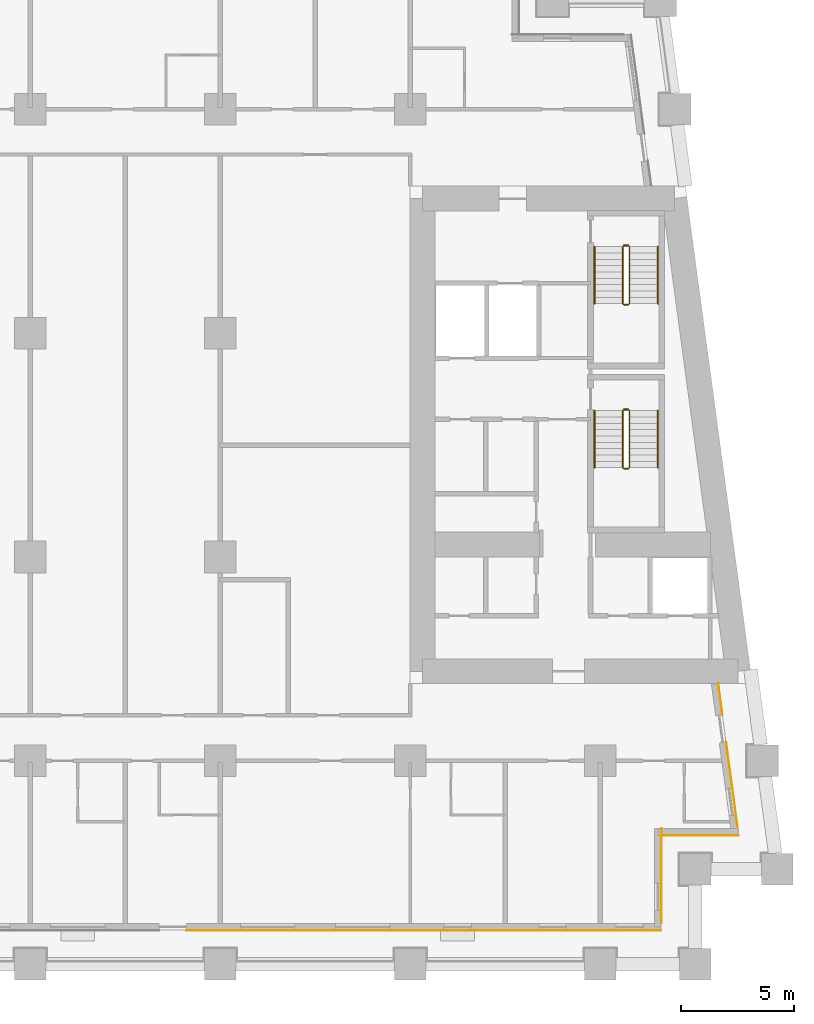
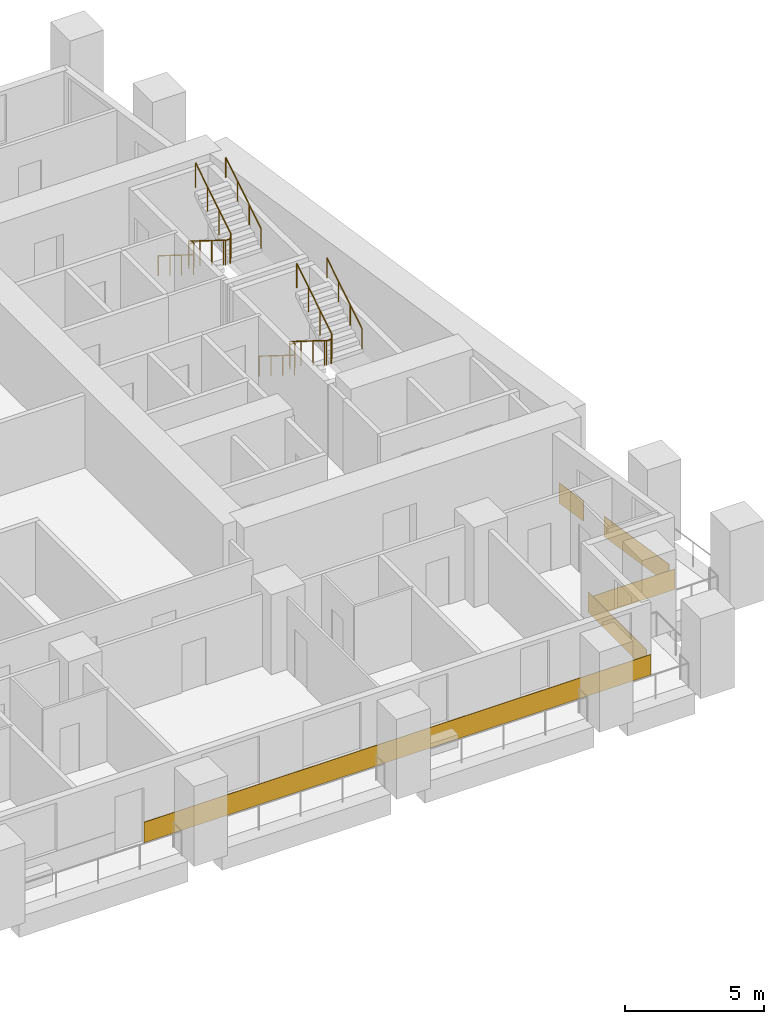
# One storey, part 11 of 13: 8 railings, 5 coverings.
"""IFC4 building model written with IfcOpenShell, lengths in metres."""

from ifc_helpers import new_model, si_unit, direction, frame, origin, origin_2d, place, context, subcontext, project, spatial, rectangle, circle, extrude, material, layer, layer_set, type_object, element, save


model = new_model("IFC4")

# Units and contexts
model_context = context("Model", 3, precision=1e-05, world=origin(), true_north=direction((0.0, 1.0)))
body_context = subcontext(model_context, "Body", "Model", "MODEL_VIEW")
ifc_project = project(units=[si_unit("LENGTHUNIT", "METRE"), si_unit("AREAUNIT", "SQUARE_METRE"), si_unit("VOLUMEUNIT", "CUBIC_METRE"), si_unit("PLANEANGLEUNIT", "RADIAN"), si_unit("MASSUNIT", "GRAM", prefix="KILO")], contexts=[model_context])

# Site, building, storey
site_placement = place(None, origin())
site = spatial("IfcSite", under=ifc_project, at=site_placement, CompositionType="ELEMENT")
building_placement = place(site_placement, origin())
building = spatial("IfcBuilding", under=site, at=building_placement, Name="Candeia Pilgrim Tower and Theatre", CompositionType="ELEMENT")
storey_placement = place(building_placement, frame((0.0, 0.0, 67.0)))
storey = spatial("IfcBuildingStorey", under=building, at=storey_placement, Name="L14", CompositionType="ELEMENT", Elevation=67.0)

# Coverings
ifc_material_1 = material(Name="Glazed ceramic tile deep red")
ifc_layer = layer(ifc_material_1, 0.02001953125)
ifc_layer_set = layer_set([ifc_layer], Name="Glazed ceramic tile deep red")
covering_type = type_object("IfcCoveringType", Name="Glazed ceramic tile deep red", PredefinedType="CLADDING", material=ifc_layer_set)
covering_1_placement = place(storey_placement, frame((126.60009765625, 99.489990234375, 0.0), z_axis=(0.0, 0.0, 1.0), x_axis=(1.0, 0.0, 0.0)))
element("IfcCovering", 1, at=covering_1_placement, inside=storey, type_object=covering_type, Name="Tile cladding deep red L14", PredefinedType="CLADDING", context=body_context, shape_type="SweptSolid", body=[
    extrude(rectangle(XDim=21.0, YDim=0.02001953125, at=origin_2d()), origin(), (0.0, 0.0, 1.0), 0.89990234375),
])
covering_2_placement = place(storey_placement, frame((137.110107421875, 101.909912109375, 0.0), z_axis=(0.0, 0.0, 1.0), x_axis=(0.0, 1.0, 0.0)))
element("IfcCovering", 2, at=covering_2_placement, inside=storey, type_object=covering_type, Name="Tile cladding deep red L14", PredefinedType="CLADDING", context=body_context, shape_type="SweptSolid", body=[
    extrude(rectangle(XDim=4.179931640625, YDim=0.02001953125, at=origin_2d()), origin(), (0.0, 0.0, 1.0), 0.89990234375),
])
covering_3_placement = place(storey_placement, frame((138.819580078125, 103.68994140625, 0.0), z_axis=(0.0, 0.0, 1.0), x_axis=(1.0, 0.0, 0.0)))
element("IfcCovering", 3, at=covering_3_placement, inside=storey, type_object=covering_type, Name="Tile cladding deep red L14", PredefinedType="CLADDING", context=body_context, shape_type="SweptSolid", body=[
    extrude(rectangle(XDim=3.399169921875, YDim=0.02001953125, at=origin_2d()), origin(), (0.0, 0.0, 1.0), 0.89990234375),
])
covering_4_placement = place(storey_placement, frame((140.228515625, 105.933349609375, 0.0), z_axis=(0.0, 0.0, 1.0), x_axis=(-0.133412012145, 0.991060661622, 0.0)))
element("IfcCovering", 4, at=covering_4_placement, inside=storey, type_object=covering_type, Name="Tile cladding deep red L14", PredefinedType="CLADDING", context=body_context, shape_type="SweptSolid", body=[
    extrude(rectangle(XDim=3.821044921875, YDim=0.02001953125, at=origin_2d()), origin(), (0.0, 0.0, 1.0), 0.89990234375),
])
covering_5_placement = place(storey_placement, frame((139.718994140625, 109.71875, 0.0), z_axis=(0.0, 0.0, 1.0), x_axis=(-0.133412012145, 0.991060661622, 0.0)))
element("IfcCovering", 5, at=covering_5_placement, inside=storey, type_object=covering_type, Name="Tile cladding deep red L14", PredefinedType="CLADDING", context=body_context, shape_type="SweptSolid", body=[
    extrude(rectangle(XDim=1.41796875, YDim=0.02001953125, at=origin_2d()), origin(), (0.0, 0.0, 1.0), 0.89990234375),
])

# Railings
ifc_material_2 = material(Name="Stainless steel balustrade", Category="steel")
railing_type_1 = type_object("IfcRailingType", Name="RL-GUARD-1100", PredefinedType="GUARDRAIL", material=ifc_material_2)
railing_1_placement = place(storey_placement, frame((135.39794921875, 122.47509765625, 0.175048828125)))
element("IfcRailing", 6, at=railing_1_placement, inside=storey, type_object=railing_type_1, Name="L14 ST3 stair guard 1", PredefinedType="GUARDRAIL", context=body_context, shape_type="SweptSolid", body=[
    extrude(circle(Radius=0.02392578125, at=origin_2d()), frame((0.0, 0.0, 1.076171875), z_axis=(0.0, -0.848007534815, 0.529984170421), x_axis=(1.0, 0.0, 0.0)), (0.0, 0.0, 1.0), 2.9716796875),
    extrude(circle(Radius=0.02392578125, at=origin_2d()), frame((0.0, -2.52001953125, 2.65087890625), z_axis=(0.707106781187, -0.707106781187, 0.0), x_axis=(0.707106781187, 0.707106781187, 0.0)), (0.0, 0.0, 1.0), 0.07080078125),
    extrude(circle(Radius=0.02392578125, at=origin_2d()), frame((0.050048828125, -2.570068359375, 2.65087890625), z_axis=(1.0, 0.0, 0.0), x_axis=(0.0, 1.0, 0.0)), (0.0, 0.0, 1.0), 0.199951171875),
    extrude(circle(Radius=0.02392578125, at=origin_2d()), frame((0.25, -2.570068359375, 2.65087890625), z_axis=(0.265065253269, 0.265065253269, 0.927081885822), x_axis=(-0.707106781187, 0.707106781187, 0.0)), (0.0, 0.0, 1.0), 0.188720703125),
    extrude(circle(Radius=0.02392578125, at=origin_2d()), frame((0.300048828125, -2.52001953125, 2.826171875), z_axis=(0.0, 0.848007534815, 0.529984170421), x_axis=(-1.0, 0.0, 0.0)), (0.0, 0.0, 1.0), 2.9716796875),
    extrude(circle(Radius=0.02099609375, at=origin_2d()), origin(), (0.0, 0.0, 1.0), 1.052001953125),
    extrude(circle(Radius=0.02099609375, at=origin_2d()), frame((0.0, -0.840087890625, 0.52490234375)), (0.0, 0.0, 1.0), 1.052001953125),
    extrude(circle(Radius=0.02099609375, at=origin_2d()), frame((0.0, -1.679931640625, 1.050048828125)), (0.0, 0.0, 1.0), 1.052001953125),
    extrude(circle(Radius=0.02099609375, at=origin_2d()), frame((0.0, -2.52001953125, 1.574951171875)), (0.0, 0.0, 1.0), 1.052001953125),
    extrude(circle(Radius=0.02099609375, at=origin_2d()), frame((0.050048828125, -2.570068359375, 1.574951171875)), (0.0, 0.0, 1.0), 1.052001953125),
    extrude(circle(Radius=0.02099609375, at=origin_2d()), frame((0.25, -2.570068359375, 1.574951171875)), (0.0, 0.0, 1.0), 1.052001953125),
    extrude(circle(Radius=0.02099609375, at=origin_2d()), frame((0.300048828125, -2.52001953125, 1.75)), (0.0, 0.0, 1.0), 1.052001953125),
    extrude(circle(Radius=0.02099609375, at=origin_2d()), frame((0.300048828125, -1.679931640625, 2.27490234375)), (0.0, 0.0, 1.0), 1.052001953125),
    extrude(circle(Radius=0.02099609375, at=origin_2d()), frame((0.300048828125, -0.840087890625, 2.800048828125)), (0.0, 0.0, 1.0), 1.052001953125),
    extrude(circle(Radius=0.02099609375, at=origin_2d()), frame((0.300048828125, 0.0, 3.324951171875)), (0.0, 0.0, 1.0), 1.052001953125),
])
railing_2_placement = place(storey_placement, frame((135.447998046875, 122.52490234375, 0.0)))
element("IfcRailing", 7, at=railing_2_placement, inside=storey, type_object=railing_type_1, Name="L14 ST3 stair guard 2", PredefinedType="GUARDRAIL", context=body_context, shape_type="SweptSolid", body=[
    extrude(circle(Radius=0.02392578125, at=origin_2d()), frame((0.0, 0.0, 1.076171875), z_axis=(1.0, 0.0, 0.0), x_axis=(0.0, 1.0, 0.0)), (0.0, 0.0, 1.0), 0.199951171875),
    extrude(circle(Radius=0.02099609375, at=origin_2d()), origin(), (0.0, 0.0, 1.0), 1.052001953125),
    extrude(circle(Radius=0.02099609375, at=origin_2d()), frame((0.199951171875, 0.0, 0.0)), (0.0, 0.0, 1.0), 1.052001953125),
])
railing_3_placement = place(storey_placement, frame((135.39794921875, 129.72509765625, 0.175048828125)))
element("IfcRailing", 8, at=railing_3_placement, inside=storey, type_object=railing_type_1, Name="L14 ST4 stair guard 1", PredefinedType="GUARDRAIL", context=body_context, shape_type="SweptSolid", body=[
    extrude(circle(Radius=0.02392578125, at=origin_2d()), frame((0.0, 0.0, 1.076171875), z_axis=(0.0, -0.848007534815, 0.529984170421), x_axis=(1.0, 0.0, 0.0)), (0.0, 0.0, 1.0), 2.9716796875),
    extrude(circle(Radius=0.02392578125, at=origin_2d()), frame((0.0, -2.52001953125, 2.65087890625), z_axis=(0.707106781187, -0.707106781187, 0.0), x_axis=(0.707106781187, 0.707106781187, 0.0)), (0.0, 0.0, 1.0), 0.07080078125),
    extrude(circle(Radius=0.02392578125, at=origin_2d()), frame((0.050048828125, -2.570068359375, 2.65087890625), z_axis=(1.0, 0.0, 0.0), x_axis=(0.0, 1.0, 0.0)), (0.0, 0.0, 1.0), 0.199951171875),
    extrude(circle(Radius=0.02392578125, at=origin_2d()), frame((0.25, -2.570068359375, 2.65087890625), z_axis=(0.265065253269, 0.265065253269, 0.927081885822), x_axis=(-0.707106781187, 0.707106781187, 0.0)), (0.0, 0.0, 1.0), 0.188720703125),
    extrude(circle(Radius=0.02392578125, at=origin_2d()), frame((0.300048828125, -2.52001953125, 2.826171875), z_axis=(0.0, 0.848007534815, 0.529984170421), x_axis=(-1.0, 0.0, 0.0)), (0.0, 0.0, 1.0), 2.9716796875),
    extrude(circle(Radius=0.02099609375, at=origin_2d()), origin(), (0.0, 0.0, 1.0), 1.052001953125),
    extrude(circle(Radius=0.02099609375, at=origin_2d()), frame((0.0, -0.840087890625, 0.52490234375)), (0.0, 0.0, 1.0), 1.052001953125),
    extrude(circle(Radius=0.02099609375, at=origin_2d()), frame((0.0, -1.679931640625, 1.050048828125)), (0.0, 0.0, 1.0), 1.052001953125),
    extrude(circle(Radius=0.02099609375, at=origin_2d()), frame((0.0, -2.52001953125, 1.574951171875)), (0.0, 0.0, 1.0), 1.052001953125),
    extrude(circle(Radius=0.02099609375, at=origin_2d()), frame((0.050048828125, -2.570068359375, 1.574951171875)), (0.0, 0.0, 1.0), 1.052001953125),
    extrude(circle(Radius=0.02099609375, at=origin_2d()), frame((0.25, -2.570068359375, 1.574951171875)), (0.0, 0.0, 1.0), 1.052001953125),
    extrude(circle(Radius=0.02099609375, at=origin_2d()), frame((0.300048828125, -2.52001953125, 1.75)), (0.0, 0.0, 1.0), 1.052001953125),
    extrude(circle(Radius=0.02099609375, at=origin_2d()), frame((0.300048828125, -1.679931640625, 2.27490234375)), (0.0, 0.0, 1.0), 1.052001953125),
    extrude(circle(Radius=0.02099609375, at=origin_2d()), frame((0.300048828125, -0.840087890625, 2.800048828125)), (0.0, 0.0, 1.0), 1.052001953125),
    extrude(circle(Radius=0.02099609375, at=origin_2d()), frame((0.300048828125, 0.0, 3.324951171875)), (0.0, 0.0, 1.0), 1.052001953125),
])
railing_4_placement = place(storey_placement, frame((135.447998046875, 129.77490234375, 0.0)))
element("IfcRailing", 9, at=railing_4_placement, inside=storey, type_object=railing_type_1, Name="L14 ST4 stair guard 2", PredefinedType="GUARDRAIL", context=body_context, shape_type="SweptSolid", body=[
    extrude(circle(Radius=0.02392578125, at=origin_2d()), frame((0.0, 0.0, 1.076171875), z_axis=(1.0, 0.0, 0.0), x_axis=(0.0, 1.0, 0.0)), (0.0, 0.0, 1.0), 0.199951171875),
    extrude(circle(Radius=0.02099609375, at=origin_2d()), origin(), (0.0, 0.0, 1.0), 1.052001953125),
    extrude(circle(Radius=0.02099609375, at=origin_2d()), frame((0.199951171875, 0.0, 0.0)), (0.0, 0.0, 1.0), 1.052001953125),
])
ifc_material_3 = material(Name="Stainless steel handrail", Category="steel")
railing_type_2 = type_object("IfcRailingType", Name="RL-HANDRAIL-900", PredefinedType="HANDRAIL", material=ifc_material_3)
railing_5_placement = place(storey_placement, frame((134.14794921875, 122.47509765625, 0.175048828125)))
element("IfcRailing", 10, at=railing_5_placement, inside=storey, type_object=railing_type_2, Name="L14 ST3 stair handrail 1", PredefinedType="HANDRAIL", context=body_context, shape_type="SweptSolid", body=[
    extrude(circle(Radius=0.02392578125, at=origin_2d()), frame((0.0, 0.0, 0.8759765625), z_axis=(0.0, -0.848007534815, 0.529984170421), x_axis=(1.0, 0.0, 0.0)), (0.0, 0.0, 1.0), 2.9716796875),
    extrude(circle(Radius=0.02099609375, at=origin_2d()), origin(), (0.0, 0.0, 1.0), 0.851806640625),
    extrude(circle(Radius=0.02099609375, at=origin_2d()), frame((0.0, -0.840087890625, 0.52490234375)), (0.0, 0.0, 1.0), 0.851806640625),
    extrude(circle(Radius=0.02099609375, at=origin_2d()), frame((0.0, -1.679931640625, 1.050048828125)), (0.0, 0.0, 1.0), 0.851806640625),
    extrude(circle(Radius=0.02099609375, at=origin_2d()), frame((0.0, -2.52001953125, 1.574951171875)), (0.0, 0.0, 1.0), 0.851806640625),
])
railing_6_placement = place(storey_placement, frame((136.947998046875, 119.955078125, 1.925048828125)))
element("IfcRailing", 11, at=railing_6_placement, inside=storey, type_object=railing_type_2, Name="L14 ST3 stair handrail 2", PredefinedType="HANDRAIL", context=body_context, shape_type="SweptSolid", body=[
    extrude(circle(Radius=0.02392578125, at=origin_2d()), frame((0.0, 0.0, 0.8759765625), z_axis=(0.0, 0.848007534815, 0.529984170421), x_axis=(-1.0, 0.0, 0.0)), (0.0, 0.0, 1.0), 2.9716796875),
    extrude(circle(Radius=0.02099609375, at=origin_2d()), origin(), (0.0, 0.0, 1.0), 0.851806640625),
    extrude(circle(Radius=0.02099609375, at=origin_2d()), frame((0.0, 0.840087890625, 0.52490234375)), (0.0, 0.0, 1.0), 0.851806640625),
    extrude(circle(Radius=0.02099609375, at=origin_2d()), frame((0.0, 1.679931640625, 1.050048828125)), (0.0, 0.0, 1.0), 0.851806640625),
    extrude(circle(Radius=0.02099609375, at=origin_2d()), frame((0.0, 2.52001953125, 1.574951171875)), (0.0, 0.0, 1.0), 0.851806640625),
])
railing_7_placement = place(storey_placement, frame((134.14794921875, 129.72509765625, 0.175048828125)))
element("IfcRailing", 12, at=railing_7_placement, inside=storey, type_object=railing_type_2, Name="L14 ST4 stair handrail 1", PredefinedType="HANDRAIL", context=body_context, shape_type="SweptSolid", body=[
    extrude(circle(Radius=0.02392578125, at=origin_2d()), frame((0.0, 0.0, 0.8759765625), z_axis=(0.0, -0.848007534815, 0.529984170421), x_axis=(1.0, 0.0, 0.0)), (0.0, 0.0, 1.0), 2.9716796875),
    extrude(circle(Radius=0.02099609375, at=origin_2d()), origin(), (0.0, 0.0, 1.0), 0.851806640625),
    extrude(circle(Radius=0.02099609375, at=origin_2d()), frame((0.0, -0.840087890625, 0.52490234375)), (0.0, 0.0, 1.0), 0.851806640625),
    extrude(circle(Radius=0.02099609375, at=origin_2d()), frame((0.0, -1.679931640625, 1.050048828125)), (0.0, 0.0, 1.0), 0.851806640625),
    extrude(circle(Radius=0.02099609375, at=origin_2d()), frame((0.0, -2.52001953125, 1.574951171875)), (0.0, 0.0, 1.0), 0.851806640625),
])
railing_8_placement = place(storey_placement, frame((136.947998046875, 127.205078125, 1.925048828125)))
element("IfcRailing", 13, at=railing_8_placement, inside=storey, type_object=railing_type_2, Name="L14 ST4 stair handrail 2", PredefinedType="HANDRAIL", context=body_context, shape_type="SweptSolid", body=[
    extrude(circle(Radius=0.02392578125, at=origin_2d()), frame((0.0, 0.0, 0.8759765625), z_axis=(0.0, 0.848007534815, 0.529984170421), x_axis=(-1.0, 0.0, 0.0)), (0.0, 0.0, 1.0), 2.9716796875),
    extrude(circle(Radius=0.02099609375, at=origin_2d()), origin(), (0.0, 0.0, 1.0), 0.851806640625),
    extrude(circle(Radius=0.02099609375, at=origin_2d()), frame((0.0, 0.840087890625, 0.52490234375)), (0.0, 0.0, 1.0), 0.851806640625),
    extrude(circle(Radius=0.02099609375, at=origin_2d()), frame((0.0, 1.679931640625, 1.050048828125)), (0.0, 0.0, 1.0), 0.851806640625),
    extrude(circle(Radius=0.02099609375, at=origin_2d()), frame((0.0, 2.52001953125, 1.574951171875)), (0.0, 0.0, 1.0), 0.851806640625),
])

save(model, "model.ifc")
